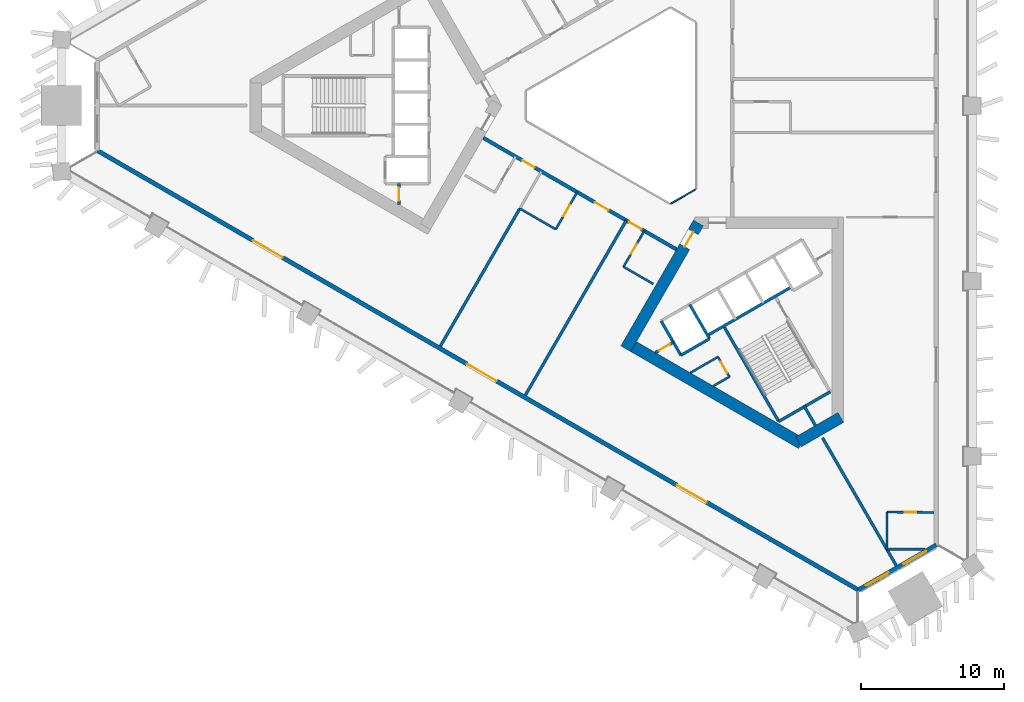
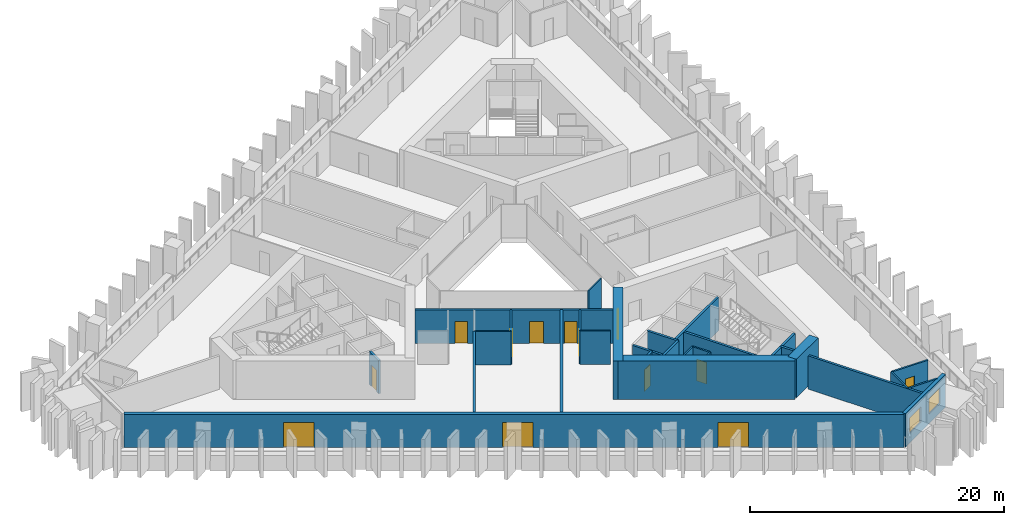
# One storey, part 2 of 10: 29 walls, 13 doors, 2 windows, 15 openings.
"""IFC4 building model written with IfcOpenShell, lengths in metres."""

from ifc_helpers import new_model, si_unit, direction, frame, frame_2d, origin, place, context, subcontext, project, spatial, rectangle, extrude, material, layer, layer_set, type_object, element, fill, save


model = new_model("IFC4")

# Units and contexts
model_context = context("Model", 3, precision=1e-05, world=origin(), true_north=direction((0.0, 1.0)))
body_context = subcontext(model_context, "Body", "Model", "MODEL_VIEW")
ifc_project = project(units=[si_unit("LENGTHUNIT", "METRE"), si_unit("AREAUNIT", "SQUARE_METRE"), si_unit("VOLUMEUNIT", "CUBIC_METRE"), si_unit("PLANEANGLEUNIT", "RADIAN"), si_unit("MASSUNIT", "GRAM", prefix="KILO")], contexts=[model_context])

# Site, building, storey
site_placement = place(None, origin())
site = spatial("IfcSite", under=ifc_project, at=site_placement, CompositionType="ELEMENT")
building_placement = place(site_placement, origin())
building = spatial("IfcBuilding", under=site, at=building_placement, Name="Jabali Bay Hotel Tower and Convention Centre", CompositionType="ELEMENT")
storey_placement = place(building_placement, frame((0.0, 0.0, 37.39990234375)))
storey = spatial("IfcBuildingStorey", under=building, at=storey_placement, Name="L07", CompositionType="ELEMENT", Elevation=37.39990234375)

# Wall
ifc_material_1 = material(Name="Fire-resistant glazing", Category="glass")
ifc_layer_1 = layer(ifc_material_1, 0.10009765625)
ifc_layer_set_1 = layer_set([ifc_layer_1], Name="Fire-resistant glazing")
wall_type_1 = type_object("IfcWallType", Name="Atrium glazed screen 100", PredefinedType="PARTITIONING", material=ifc_layer_set_1)
wall_1_placement = place(storey_placement, frame((77.7978515625, 73.15380859375, 0.0), z_axis=(0.0, 0.0, 1.0), x_axis=(0.866041268327, 0.499972520799, 0.0)))
element("IfcWall", 1, at=wall_1_placement, inside=storey, type_object=wall_type_1, Name="Atrium screen 6 L07", PredefinedType="PARTITIONING", context=body_context, shape_type="SweptSolid", body=[
    extrude(rectangle(XDim=2.0, YDim=0.10009765625, at=frame_2d((1.0, 0.0))), origin(), (0.0, 0.0, 1.0), 3.2001953125),
])

# Wall, opening, door
ifc_material_2 = material(Name="Concrete C40", Category="concrete")
ifc_layer_2 = layer(ifc_material_2, 0.199951171875)
ifc_layer_set_2 = layer_set([ifc_layer_2], Name="Concrete C40")
wall_type_2 = type_object("IfcWallType", Name="Core partition wall 200", PredefinedType="PARTITIONING", material=ifc_layer_set_2)
wall_2_placement = place(storey_placement, frame((58.800048828125, 74.550048828125, 0.0), z_axis=(0.0, 0.0, 1.0), x_axis=(0.0, -1.0, 0.0)))
wall_2 = element("IfcWall", 2, at=wall_2_placement, inside=storey, type_object=wall_type_2, Name="Core wall 0.12 L07", PredefinedType="PARTITIONING", context=body_context, shape_type="SweptSolid", body=[
    extrude(rectangle(XDim=1.455078125, YDim=0.199951171875, at=frame_2d((0.7275390625, 0.0))), origin(), (0.0, 0.0, 1.0), 3.2001953125),
])
opening_1_placement = place(wall_2_placement, frame((0.277587890625, 0.0, 0.0)))
opening_1 = element("IfcOpeningElement", 3, at=opening_1_placement, cuts=wall_2, Name="Opening D236", PredefinedType="OPENING", context=body_context, shape_type="SweptSolid", body=[
    extrude(rectangle(XDim=0.89990234375, YDim=2.10009765625, at=frame_2d((0.449951171875, 1.050048828125))), frame((0.0, 0.1103515625, 0.0), z_axis=(0.0, -1.0, 0.0), x_axis=(1.0, 0.0, 0.0)), (0.0, 0.0, 1.0), 0.220947265625),
])
ifc_material_3 = material(Name="Fire-rated steel door", Category="steel")
door_type_1 = type_object("IfcDoorType", Name="Vestibule fire door 900 x 2100", OperationType="NOTDEFINED", PredefinedType="NOTDEFINED", material=ifc_material_3)
door_1_placement = place(opening_1_placement, origin())
door_1 = element("IfcDoor", 4, at=door_1_placement, inside=storey, type_object=door_type_1, Name="Vestibule fire door D236", OperationType="SINGLE_SWING_LEFT", OverallHeight=2.10009765625, OverallWidth=0.89990234375, PredefinedType="NOTDEFINED", context=body_context, shape_type="SweptSolid", body=[
    extrude(rectangle(XDim=0.89990234375, YDim=2.10009765625, at=frame_2d((0.449951171875, 1.050048828125))), frame((0.0, 0.02490234375, 0.0), z_axis=(0.0, -1.0, 0.0), x_axis=(1.0, 0.0, 0.0)), (0.0, 0.0, 1.0), 0.050048828125),
])
fill(opening_1, door_1)

# Wall
wall_3_placement = place(storey_placement, frame((87.090087890625, 59.0595703125, 0.0), z_axis=(0.0, 0.0, 1.0), x_axis=(0.499956811548, -0.866050337213, 0.0)))
element("IfcWall", 5, at=wall_3_placement, inside=storey, type_object=wall_type_2, Name="Core wall 2.5 L07", PredefinedType="PARTITIONING", context=body_context, shape_type="SweptSolid", body=[
    extrude(rectangle(XDim=1.623291015625, YDim=0.199951171875, at=frame_2d((0.8115234375, 0.0))), origin(), (0.0, 0.0, 1.0), 3.2001953125),
])

# Wall, opening, door
wall_4_placement = place(storey_placement, frame((76.719970703125, 62.748779296875, 0.0), z_axis=(0.0, 0.0, 1.0), x_axis=(0.866054810376, 0.49994906283, 0.0)))
wall_4 = element("IfcWall", 6, at=wall_4_placement, inside=storey, type_object=wall_type_2, Name="Core wall 2.11 L07", PredefinedType="PARTITIONING", context=body_context, shape_type="SweptSolid", body=[
    extrude(rectangle(XDim=1.461181640625, YDim=0.199951171875, at=frame_2d((0.73046875, 0.0))), origin(), (0.0, 0.0, 1.0), 3.2001953125),
])
opening_2_placement = place(wall_4_placement, frame((0.280517578125, 0.0, 0.0)))
opening_2 = element("IfcOpeningElement", 7, at=opening_2_placement, cuts=wall_4, Name="Opening D249", PredefinedType="OPENING", context=body_context, shape_type="SweptSolid", body=[
    extrude(rectangle(XDim=0.89990234375, YDim=2.10009765625, at=frame_2d((0.449951171875, 1.050048828125))), frame((0.0, 0.1103515625, 0.0), z_axis=(0.0, -1.0, 0.0), x_axis=(1.0, 0.0, 0.0)), (0.0, 0.0, 1.0), 0.220947265625),
])
door_2_placement = place(opening_2_placement, origin())
door_2 = element("IfcDoor", 8, at=door_2_placement, inside=storey, type_object=door_type_1, Name="Vestibule fire door D249", OperationType="SINGLE_SWING_LEFT", OverallHeight=2.10009765625, OverallWidth=0.89990234375, PredefinedType="NOTDEFINED", context=body_context, shape_type="SweptSolid", body=[
    extrude(rectangle(XDim=0.89990234375, YDim=2.10009765625, at=frame_2d((0.449951171875, 1.050048828125))), frame((0.0, 0.02490234375, 0.0), z_axis=(0.0, -1.0, 0.0), x_axis=(1.0, 0.0, 0.0)), (0.0, 0.0, 1.0), 0.050048828125),
])
fill(opening_2, door_2)

ifc_material_4 = material(Name="Fire-rated board partition")
ifc_layer_3 = layer(ifc_material_4, 0.14990234375)
ifc_layer_set_3 = layer_set([ifc_layer_3], Name="Fire-rated board partition")
wall_type_3 = type_object("IfcWallType", Name="Core room partition 150", PredefinedType="PARTITIONING", material=ifc_layer_set_3)
wall_5_placement = place(storey_placement, frame((81.093994140625, 62.445068359375, 0.0), z_axis=(0.0, 0.0, 1.0), x_axis=(0.499880961361, -0.866094119867, 0.0)))
wall_5 = element("IfcWall", 9, at=wall_5_placement, inside=storey, type_object=wall_type_3, Name="Core wall 2.1 L07", PredefinedType="PARTITIONING", context=body_context, shape_type="SweptSolid", body=[
    extrude(rectangle(XDim=1.60009765625, YDim=0.14990234375, at=frame_2d((0.800048828125, 0.0))), origin(), (0.0, 0.0, 1.0), 3.2001953125),
])
opening_3_placement = place(wall_5_placement, frame((0.387451171875, 0.0, 0.0)))
opening_3 = element("IfcOpeningElement", 10, at=opening_3_placement, cuts=wall_5, Name="Opening D251", PredefinedType="OPENING", context=body_context, shape_type="SweptSolid", body=[
    extrude(rectangle(XDim=0.89990234375, YDim=2.10009765625, at=frame_2d((0.449951171875, 1.050048828125))), frame((0.0, 0.08544921875, 0.0), z_axis=(0.0, -1.0, 0.0), x_axis=(1.0, 0.0, 0.0)), (0.0, 0.0, 1.0), 0.1708984375),
])
door_type_2 = type_object("IfcDoorType", Name="Core room door 900 x 2100", OperationType="NOTDEFINED", PredefinedType="NOTDEFINED", material=ifc_material_3)
door_3_placement = place(opening_3_placement, origin())
door_3 = element("IfcDoor", 11, at=door_3_placement, inside=storey, type_object=door_type_2, Name="Core room door D251", OperationType="SINGLE_SWING_LEFT", OverallHeight=2.10009765625, OverallWidth=0.89990234375, PredefinedType="NOTDEFINED", context=body_context, shape_type="SweptSolid", body=[
    extrude(rectangle(XDim=0.89990234375, YDim=2.10009765625, at=frame_2d((0.449951171875, 1.050048828125))), frame((0.0, 0.02490234375, 0.0), z_axis=(0.0, -1.0, 0.0), x_axis=(1.0, 0.0, 0.0)), (0.0, 0.0, 1.0), 0.050048828125),
])
fill(opening_3, door_3)

# Walls
wall_6_placement = place(storey_placement, frame((79.169921875, 61.334228515625, 0.0), z_axis=(0.0, 0.0, 1.0), x_axis=(0.866030041738, 0.499991966744, 0.0)))
element("IfcWall", 12, at=wall_6_placement, inside=storey, type_object=wall_type_3, Name="Core wall 2.16 L07", PredefinedType="PARTITIONING", context=body_context, shape_type="SweptSolid", body=[
    extrude(rectangle(XDim=2.2216796875, YDim=0.14990234375, at=frame_2d((1.11083984375, 0.0))), origin(), (0.0, 0.0, 1.0), 3.2001953125),
])
wall_7_placement = place(storey_placement, frame((80.77001953125, 60.410400390625, 0.0), z_axis=(0.0, 0.0, 1.0), x_axis=(0.865988195383, 0.500064441305, 0.0)))
element("IfcWall", 13, at=wall_7_placement, inside=storey, type_object=wall_type_3, Name="Core wall 2.17 L07", PredefinedType="PARTITIONING", context=body_context, shape_type="SweptSolid", body=[
    extrude(rectangle(XDim=1.297607421875, YDim=0.14990234375, at=frame_2d((0.64892578125, 0.0))), origin(), (0.0, 0.0, 1.0), 3.2001953125),
])
ifc_layer_4 = layer(ifc_material_2, 0.199951171875)
ifc_layer_set_4 = layer_set([ifc_layer_4], Name="Concrete C40")
wall_type_4 = type_object("IfcWallType", Name="Core stair wall 200", PredefinedType="SOLIDWALL", material=ifc_layer_set_4)
for number, where, z_axis, x_axis, name in (
    (14, (77.13525390625, 64.95166015625, 0.0), (0.0, 0.0, 1.0), (0.499996545922, -0.866027397988, 0.0), "Core wall 2.0 L07"),
    (15, (79.127197265625, 66.1015625, 0.0), (0.0, 0.0, 1.0), (0.499996545922, -0.866027397988, 0.0), "Core wall 2.2 L07"),
):
    element("IfcWall", number, at=place(storey_placement, frame(where, z_axis=z_axis, x_axis=x_axis)), inside=storey, type_object=wall_type_4, Name=name, PredefinedType="SOLIDWALL", context=body_context, shape_type="SweptSolid", body=[
        extrude(rectangle(XDim=2.75, YDim=0.199951171875, at=frame_2d((1.375, 0.0))), origin(), (0.0, 0.0, 1.0), 3.2001953125),
    ])
wall_8_placement = place(storey_placement, frame((81.492919921875, 64.603759765625, 0.0), z_axis=(0.0, 0.0, 1.0), x_axis=(0.500006057782, -0.866021906294, 0.0)))
element("IfcWall", 16, at=wall_8_placement, inside=storey, type_object=wall_type_4, Name="Core wall 2.3 L07", PredefinedType="SOLIDWALL", context=body_context, shape_type="SweptSolid", body=[
    extrude(rectangle(XDim=7.7001953125, YDim=0.199951171875, at=frame_2d((3.85009765625, 0.0))), origin(), (0.0, 0.0, 1.0), 3.2001953125),
])
wall_9_placement = place(storey_placement, frame((80.3671875, 63.953857421875, 0.0), z_axis=(0.0, 0.0, 1.0), x_axis=(0.866026575979, 0.499997969693, 0.0)))
element("IfcWall", 17, at=wall_9_placement, inside=storey, type_object=wall_type_4, Name="Core wall 2.13 L07", PredefinedType="SOLIDWALL", context=body_context, shape_type="SweptSolid", body=[
    extrude(rectangle(XDim=6.75, YDim=0.199951171875, at=frame_2d((3.375, 0.0))), origin(), (0.0, 0.0, 1.0), 3.2001953125),
])
wall_10_placement = place(storey_placement, frame((78.51025390625, 62.570068359375, 0.0), z_axis=(0.0, 0.0, 1.0), x_axis=(0.866053019151, 0.499952165731, 0.0)))
element("IfcWall", 18, at=wall_10_placement, inside=storey, type_object=wall_type_4, Name="Core wall 2.14 L07", PredefinedType="SOLIDWALL", context=body_context, shape_type="SweptSolid", body=[
    extrude(rectangle(XDim=2.300048828125, YDim=0.199951171875, at=frame_2d((1.14990234375, 0.0))), origin(), (0.0, 0.0, 1.0), 3.2001953125),
])
wall_11_placement = place(storey_placement, frame((85.343017578125, 57.935302734375, 0.0), z_axis=(0.0, 0.0, 1.0), x_axis=(0.866004344652, 0.500036473714, 0.0)))
element("IfcWall", 19, at=wall_11_placement, inside=storey, type_object=wall_type_4, Name="Core wall 2.18 L07", PredefinedType="SOLIDWALL", context=body_context, shape_type="SweptSolid", body=[
    extrude(rectangle(XDim=4.150146484375, YDim=0.199951171875, at=frame_2d((2.0751953125, 0.0))), origin(), (0.0, 0.0, 1.0), 3.2001953125),
])

# Wall, opening, door
ifc_material_5 = material(Name="Concrete C60", Category="concrete")
ifc_layer_5 = layer(ifc_material_5, 0.800048828125)
ifc_layer_set_5 = layer_set([ifc_layer_5], Name="Concrete C60")
wall_type_5 = type_object("IfcWallType", Name="Core wall 800", PredefinedType="SHEAR", material=ifc_layer_set_5)
wall_12_placement = place(storey_placement, frame((79.73095703125, 71.8056640625, 0.0), z_axis=(0.0, 0.0, 1.0), x_axis=(-0.49999662545, -0.866027352073, 0.0)))
wall_12 = element("IfcWall", 20, at=wall_12_placement, inside=storey, type_object=wall_type_5, Name="Core wall 3.1 L07", PredefinedType="SHEAR", context=body_context, shape_type="SweptSolid", body=[
    extrude(rectangle(XDim=10.14892578125, YDim=0.800048828125, at=frame_2d((5.074462890625, 0.0))), origin(), (0.0, 0.0, 1.0), 3.7001953125),
])
opening_4_placement = place(wall_12_placement, frame((0.718994140625, 0.0, 0.0)))
opening_4 = element("IfcOpeningElement", 21, at=opening_4_placement, cuts=wall_12, Name="Opening D246", PredefinedType="OPENING", context=body_context, shape_type="SweptSolid", body=[
    extrude(rectangle(XDim=1.199951171875, YDim=2.10009765625, at=frame_2d((0.60009765625, 1.050048828125))), frame((0.0, 0.41064453125, 0.0), z_axis=(0.0, -1.0, 0.0), x_axis=(1.0, 0.0, 0.0)), (0.0, 0.0, 1.0), 0.821044921875),
])
door_type_3 = type_object("IfcDoorType", Name="Corridor end fire door 1200 x 2100", OperationType="NOTDEFINED", PredefinedType="NOTDEFINED", material=ifc_material_3)
door_4_placement = place(opening_4_placement, origin())
door_4 = element("IfcDoor", 22, at=door_4_placement, inside=storey, type_object=door_type_3, Name="Corridor end fire door D246", OperationType="SINGLE_SWING_RIGHT", OverallHeight=2.10009765625, OverallWidth=1.199951171875, PredefinedType="NOTDEFINED", context=body_context, shape_type="SweptSolid", body=[
    extrude(rectangle(XDim=1.199951171875, YDim=2.10009765625, at=frame_2d((0.60009765625, 1.050048828125))), frame((0.0, 0.02490234375, 0.0), z_axis=(0.0, -1.0, 0.0), x_axis=(1.0, 0.0, 0.0)), (0.0, 0.0, 1.0), 0.050048828125),
])
fill(opening_4, door_4)

# Walls
wall_13_placement = place(storey_placement, frame((74.8564453125, 63.36279296875, 0.0), z_axis=(0.0, 0.0, 1.0), x_axis=(0.866029478545, -0.499992942241, 0.0)))
element("IfcWall", 23, at=wall_13_placement, inside=storey, type_object=wall_type_5, Name="Core wall 3.2 L07", PredefinedType="SHEAR", context=body_context, shape_type="SweptSolid", body=[
    extrude(rectangle(XDim=13.933349609375, YDim=0.800048828125, at=frame_2d((6.966796875, 0.0))), origin(), (0.0, 0.0, 1.0), 3.7001953125),
])
wall_14_placement = place(storey_placement, frame((86.72314453125, 56.51171875, 0.0), z_axis=(0.0, 0.0, 1.0), x_axis=(0.866034355626, 0.499984494636, 0.0)))
element("IfcWall", 24, at=wall_14_placement, inside=storey, type_object=wall_type_5, Name="Core wall 3.3 L07", PredefinedType="SHEAR", context=body_context, shape_type="SweptSolid", body=[
    extrude(rectangle(XDim=3.4140625, YDim=0.800048828125, at=frame_2d((1.70703125, 0.0))), origin(), (0.0, 0.0, 1.0), 3.7001953125),
])

# Wall, openings, doors
ifc_layer_6 = layer(ifc_material_5, 0.25)
ifc_layer_set_6 = layer_set([ifc_layer_6], Name="Concrete C60")
wall_type_6 = type_object("IfcWallType", Name="Corridor wall 250", PredefinedType="SHEAR", material=ifc_layer_set_6)
wall_15_placement = place(storey_placement, frame((64.699951171875, 77.748291015625, 0.0), z_axis=(0.0, 0.0, 1.0), x_axis=(0.866026492143, -0.499998114903, 0.0)))
wall_15 = element("IfcWall", 25, at=wall_15_placement, inside=storey, type_object=wall_type_6, Name="Corridor wall 3 L07", PredefinedType="SHEAR", context=body_context, shape_type="SweptSolid", body=[
    extrude(rectangle(XDim=15.58837890625, YDim=0.25, at=frame_2d((7.794189453125, 0.0))), origin(), (0.0, 0.0, 1.0), 3.2001953125),
])
opening_5_placement = place(wall_15_placement, frame((3.13818359375, 0.0, 0.0)))
opening_5 = element("IfcOpeningElement", 26, at=opening_5_placement, cuts=wall_15, Name="Opening 0718", PredefinedType="OPENING", context=body_context, shape_type="SweptSolid", body=[
    extrude(rectangle(XDim=1.0, YDim=2.10009765625, at=frame_2d((0.5, 1.050048828125))), frame((0.0, 0.135498046875, 0.0), z_axis=(0.0, -1.0, 0.0), x_axis=(1.0, 0.0, 0.0)), (0.0, 0.0, 1.0), 0.27099609375),
])
opening_6_placement = place(wall_15_placement, frame((9.006103515625, 0.0, 0.0)))
opening_6 = element("IfcOpeningElement", 27, at=opening_6_placement, cuts=wall_15, Name="Opening 0720", PredefinedType="OPENING", context=body_context, shape_type="SweptSolid", body=[
    extrude(rectangle(XDim=1.10009765625, YDim=2.10009765625, at=frame_2d((0.550048828125, 1.050048828125))), frame((0.0, 0.135498046875, 0.0), z_axis=(0.0, -1.0, 0.0), x_axis=(1.0, 0.0, 0.0)), (0.0, 0.0, 1.0), 0.27099609375),
])
opening_7_placement = place(wall_15_placement, frame((11.761962890625, 0.0, 0.0)))
opening_7 = element("IfcOpeningElement", 28, at=opening_7_placement, cuts=wall_15, Name="Opening 0722", PredefinedType="OPENING", context=body_context, shape_type="SweptSolid", body=[
    extrude(rectangle(XDim=1.0, YDim=2.10009765625, at=frame_2d((0.5, 1.050048828125))), frame((0.0, 0.135498046875, 0.0), z_axis=(0.0, -1.0, 0.0), x_axis=(1.0, 0.0, 0.0)), (0.0, 0.0, 1.0), 0.27099609375),
])
ifc_material_6 = material(Name="Timber", Category="wood")
door_type_4 = type_object("IfcDoorType", Name="Accessible guest room door 1100 x 2100", OperationType="NOTDEFINED", PredefinedType="NOTDEFINED", material=ifc_material_6)
door_5_placement = place(opening_6_placement, origin())
door_5 = element("IfcDoor", 29, at=door_5_placement, inside=storey, type_object=door_type_4, Name="Door 0720", OperationType="SINGLE_SWING_RIGHT", OverallHeight=2.10009765625, OverallWidth=1.10009765625, PredefinedType="NOTDEFINED", context=body_context, shape_type="SweptSolid", body=[
    extrude(rectangle(XDim=1.10009765625, YDim=2.10009765625, at=frame_2d((0.550048828125, 1.050048828125))), frame((0.0, 0.02490234375, 0.0), z_axis=(0.0, -1.0, 0.0), x_axis=(1.0, 0.0, 0.0)), (0.0, 0.0, 1.0), 0.050048828125),
])
fill(opening_6, door_5)
door_type_5 = type_object("IfcDoorType", Name="Guest room door 1000 x 2100", OperationType="NOTDEFINED", PredefinedType="NOTDEFINED", material=ifc_material_6)
door_6_placement = place(opening_5_placement, origin())
door_6 = element("IfcDoor", 30, at=door_6_placement, inside=storey, type_object=door_type_5, Name="Door 0718", OperationType="SINGLE_SWING_LEFT", OverallHeight=2.10009765625, OverallWidth=1.0, PredefinedType="NOTDEFINED", context=body_context, shape_type="SweptSolid", body=[
    extrude(rectangle(XDim=1.0, YDim=2.10009765625, at=frame_2d((0.5, 1.050048828125))), frame((0.0, 0.02490234375, 0.0), z_axis=(0.0, -1.0, 0.0), x_axis=(1.0, 0.0, 0.0)), (0.0, 0.0, 1.0), 0.050048828125),
])
fill(opening_5, door_6)
door_7_placement = place(opening_7_placement, origin())
door_7 = element("IfcDoor", 31, at=door_7_placement, inside=storey, type_object=door_type_5, Name="Door 0722", OperationType="SINGLE_SWING_RIGHT", OverallHeight=2.10009765625, OverallWidth=1.0, PredefinedType="NOTDEFINED", context=body_context, shape_type="SweptSolid", body=[
    extrude(rectangle(XDim=1.0, YDim=2.10009765625, at=frame_2d((0.5, 1.050048828125))), frame((0.0, 0.02490234375, 0.0), z_axis=(0.0, -1.0, 0.0), x_axis=(1.0, 0.0, 0.0)), (0.0, 0.0, 1.0), 0.050048828125),
])
fill(opening_7, door_7)

# Wall, openings, windows
ifc_layer_7 = layer(ifc_material_2, 0.300048828125)
ifc_layer_set_7 = layer_set([ifc_layer_7], Name="Concrete C40")
wall_type_7 = type_object("IfcWallType", Name="External wall 300", PredefinedType="SOLIDWALL", material=ifc_layer_set_7)
wall_16_placement = place(storey_placement, frame((96.3505859375, 49.302490234375, 0.0), z_axis=(0.0, 0.0, 1.0), x_axis=(-0.866022511254, -0.500005009975, 0.0)))
wall_16 = element("IfcWall", 32, at=wall_16_placement, inside=storey, type_object=wall_type_7, Name="External wall south-east chamfer L07", PredefinedType="SOLIDWALL", context=body_context, shape_type="SweptSolid", body=[
    extrude(rectangle(XDim=6.28271484375, YDim=0.300048828125, at=frame_2d((3.141357421875, 0.0))), origin(), (0.0, 0.0, 1.0), 3.2001953125),
])
opening_8_placement = place(wall_16_placement, frame((0.840576171875, 0.0, 0.89990234375)))
opening_8 = element("IfcOpeningElement", 33, at=opening_8_placement, cuts=wall_16, Name="Opening W1", PredefinedType="OPENING", context=body_context, shape_type="SweptSolid", body=[
    extrude(rectangle(XDim=1.800048828125, YDim=1.5, at=frame_2d((0.89990234375, 0.75))), frame((0.0, 0.16064453125, 0.0), z_axis=(0.0, -1.0, 0.0), x_axis=(1.0, 0.0, 0.0)), (0.0, 0.0, 1.0), 0.321044921875),
])
opening_9_placement = place(wall_16_placement, frame((3.85498046875, 0.0, 0.89990234375)))
opening_9 = element("IfcOpeningElement", 34, at=opening_9_placement, cuts=wall_16, Name="Opening W1", PredefinedType="OPENING", context=body_context, shape_type="SweptSolid", body=[
    extrude(rectangle(XDim=1.800048828125, YDim=1.5, at=frame_2d((0.89990234375, 0.75))), frame((0.0, 0.16064453125, 0.0), z_axis=(0.0, -1.0, 0.0), x_axis=(1.0, 0.0, 0.0)), (0.0, 0.0, 1.0), 0.321044921875),
])
ifc_material_7 = material(Name="Glass", Category="glass")
window_type = type_object("IfcWindowType", Name="Window 1800 x 1500", PartitioningType="SINGLE_PANEL", PredefinedType="WINDOW", material=ifc_material_7)
window_1_placement = place(opening_8_placement, origin())
window_1 = element("IfcWindow", 35, at=window_1_placement, inside=storey, type_object=window_type, Name="Window 701", OverallHeight=1.5, OverallWidth=1.800048828125, PartitioningType="SINGLE_PANEL", PredefinedType="WINDOW", context=body_context, shape_type="SweptSolid", body=[
    extrude(rectangle(XDim=1.800048828125, YDim=1.5, at=frame_2d((0.89990234375, 0.75))), frame((0.0, 0.030029296875, 0.0), z_axis=(0.0, -1.0, 0.0), x_axis=(1.0, 0.0, 0.0)), (0.0, 0.0, 1.0), 0.06005859375),
])
fill(opening_8, window_1)
window_2_placement = place(opening_9_placement, origin())
window_2 = element("IfcWindow", 36, at=window_2_placement, inside=storey, type_object=window_type, Name="Window 709", OverallHeight=1.5, OverallWidth=1.800048828125, PartitioningType="SINGLE_PANEL", PredefinedType="WINDOW", context=body_context, shape_type="SweptSolid", body=[
    extrude(rectangle(XDim=1.800048828125, YDim=1.5, at=frame_2d((0.89990234375, 0.75))), frame((0.0, 0.030029296875, 0.0), z_axis=(0.0, -1.0, 0.0), x_axis=(1.0, 0.0, 0.0)), (0.0, 0.0, 1.0), 0.06005859375),
])
fill(opening_9, window_2)

# Wall, openings, doors
wall_17_placement = place(storey_placement, frame((90.90966796875, 46.1611328125, 0.0), z_axis=(0.0, 0.0, 1.0), x_axis=(-0.866026524777, 0.499998058379, 0.0)))
wall_17 = element("IfcWall", 37, at=wall_17_placement, inside=storey, type_object=wall_type_7, Name="External wall south-west face L07", PredefinedType="SOLIDWALL", context=body_context, shape_type="SweptSolid", body=[
    extrude(rectangle(XDim=61.395263671875, YDim=0.300048828125, at=frame_2d((30.69775390625, 0.0))), origin(), (0.0, 0.0, 1.0), 3.2001953125),
])
opening_10_placement = place(wall_17_placement, frame((29.185791015625, 0.0, 0.0)))
opening_10 = element("IfcOpeningElement", 38, at=opening_10_placement, cuts=wall_17, Name="Opening SD1", PredefinedType="OPENING", context=body_context, shape_type="SweptSolid", body=[
    extrude(rectangle(XDim=2.39990234375, YDim=2.39990234375, at=frame_2d((1.199951171875, 1.199951171875))), frame((0.0, 0.16064453125, 0.0), z_axis=(0.0, -1.0, 0.0), x_axis=(1.0, 0.0, 0.0)), (0.0, 0.0, 1.0), 0.321044921875),
])
opening_11_placement = place(wall_17_placement, frame((46.448486328125, 0.0, 0.0)))
opening_11 = element("IfcOpeningElement", 39, at=opening_11_placement, cuts=wall_17, Name="Opening SD1", PredefinedType="OPENING", context=body_context, shape_type="SweptSolid", body=[
    extrude(rectangle(XDim=2.39990234375, YDim=2.39990234375, at=frame_2d((1.199951171875, 1.199951171875))), frame((0.0, 0.16064453125, 0.0), z_axis=(0.0, -1.0, 0.0), x_axis=(1.0, 0.0, 0.0)), (0.0, 0.0, 1.0), 0.321044921875),
])
opening_12_placement = place(wall_17_placement, frame((12.23486328125, 0.0, 0.0)))
opening_12 = element("IfcOpeningElement", 40, at=opening_12_placement, cuts=wall_17, Name="Opening SD1", PredefinedType="OPENING", context=body_context, shape_type="SweptSolid", body=[
    extrude(rectangle(XDim=2.39990234375, YDim=2.39990234375, at=frame_2d((1.199951171875, 1.199951171875))), frame((0.0, 0.16064453125, 0.0), z_axis=(0.0, -1.0, 0.0), x_axis=(1.0, 0.0, 0.0)), (0.0, 0.0, 1.0), 0.321044921875),
])
door_type_6 = type_object("IfcDoorType", Name="Loggia sliding door 2400 x 2400", OperationType="NOTDEFINED", PredefinedType="NOTDEFINED", material=ifc_material_7)
door_8_placement = place(opening_10_placement, origin())
door_8 = element("IfcDoor", 41, at=door_8_placement, inside=storey, type_object=door_type_6, Name="Loggia sliding door 708", OperationType="SLIDING_TO_LEFT", OverallHeight=2.39990234375, OverallWidth=2.39990234375, PredefinedType="NOTDEFINED", context=body_context, shape_type="SweptSolid", body=[
    extrude(rectangle(XDim=2.39990234375, YDim=2.39990234375, at=frame_2d((1.199951171875, 1.199951171875))), frame((0.0, 0.02490234375, 0.0), z_axis=(0.0, -1.0, 0.0), x_axis=(1.0, 0.0, 0.0)), (0.0, 0.0, 1.0), 0.050048828125),
])
fill(opening_10, door_8)
door_9_placement = place(opening_11_placement, origin())
door_9 = element("IfcDoor", 42, at=door_9_placement, inside=storey, type_object=door_type_6, Name="Loggia sliding door 707", OperationType="SLIDING_TO_RIGHT", OverallHeight=2.39990234375, OverallWidth=2.39990234375, PredefinedType="NOTDEFINED", context=body_context, shape_type="SweptSolid", body=[
    extrude(rectangle(XDim=2.39990234375, YDim=2.39990234375, at=frame_2d((1.199951171875, 1.199951171875))), frame((0.0, 0.02490234375, 0.0), z_axis=(0.0, -1.0, 0.0), x_axis=(1.0, 0.0, 0.0)), (0.0, 0.0, 1.0), 0.050048828125),
])
fill(opening_11, door_9)
door_10_placement = place(opening_12_placement, origin())
door_10 = element("IfcDoor", 43, at=door_10_placement, inside=storey, type_object=door_type_6, Name="Loggia sliding door 709", OperationType="SLIDING_TO_LEFT", OverallHeight=2.39990234375, OverallWidth=2.39990234375, PredefinedType="NOTDEFINED", context=body_context, shape_type="SweptSolid", body=[
    extrude(rectangle(XDim=2.39990234375, YDim=2.39990234375, at=frame_2d((1.199951171875, 1.199951171875))), frame((0.0, 0.02490234375, 0.0), z_axis=(0.0, -1.0, 0.0), x_axis=(1.0, 0.0, 0.0)), (0.0, 0.0, 1.0), 0.050048828125),
])
fill(opening_12, door_10)

# Walls
ifc_material_8 = material(Name="Plasterboard on steel stud", Category="steel")
ifc_layer_8 = layer(ifc_material_8, 0.14990234375)
ifc_layer_set_8 = layer_set([ifc_layer_8], Name="Plasterboard on steel stud")
wall_type_8 = type_object("IfcWallType", Name="Partition 150 wet", PredefinedType="PARTITIONING", material=ifc_layer_set_8)
wall_18_placement = place(storey_placement, frame((95.547119140625, 49.010498046875, 0.0), z_axis=(0.0, 0.0, 1.0), x_axis=(-0.999994783674, -0.003229957312, 0.0)))
element("IfcWall", 44, at=wall_18_placement, inside=storey, type_object=wall_type_8, Name="Partition P03 L07 004", PredefinedType="PARTITIONING", context=body_context, shape_type="SweptSolid", body=[
    extrude(rectangle(XDim=2.6455078125, YDim=0.14990234375, at=frame_2d((1.32275390625, 0.0))), origin(), (0.0, 0.0, 1.0), 3.2001953125),
])
wall_19_placement = place(storey_placement, frame((92.901611328125, 49.001953125, 0.0), z_axis=(0.0, 0.0, 1.0), x_axis=(0.0, 1.0, 0.0)))
element("IfcWall", 45, at=wall_19_placement, inside=storey, type_object=wall_type_8, Name="Partition P03 L07 005", PredefinedType="PARTITIONING", context=body_context, shape_type="SweptSolid", body=[
    extrude(rectangle(XDim=2.599853515625, YDim=0.14990234375, at=frame_2d((1.2998046875, 0.0))), origin(), (0.0, 0.0, 1.0), 3.2001953125),
])

# Wall, opening, door
wall_20_placement = place(storey_placement, frame((92.901611328125, 51.601806640625, 0.0), z_axis=(0.0, 0.0, 1.0), x_axis=(0.999983351016, -0.005770415135, 0.0)))
wall_20 = element("IfcWall", 46, at=wall_20_placement, inside=storey, type_object=wall_type_8, Name="Partition P03 L07 006", PredefinedType="PARTITIONING", context=body_context, shape_type="SweptSolid", body=[
    extrude(rectangle(XDim=3.300048828125, YDim=0.14990234375, at=frame_2d((1.64990234375, 0.0))), origin(), (0.0, 0.0, 1.0), 3.2001953125),
])
opening_13_placement = place(wall_20_placement, frame((1.25, 0.0, 0.0)))
opening_13 = element("IfcOpeningElement", 47, at=opening_13_placement, cuts=wall_20, Name="Opening 0703", PredefinedType="OPENING", context=body_context, shape_type="SweptSolid", body=[
    extrude(rectangle(XDim=0.800048828125, YDim=2.10009765625, at=frame_2d((0.39990234375, 1.050048828125))), frame((0.0, 0.08544921875, 0.0), z_axis=(0.0, -1.0, 0.0), x_axis=(1.0, 0.0, 0.0)), (0.0, 0.0, 1.0), 0.1708984375),
])
door_type_7 = type_object("IfcDoorType", Name="En-suite door 800 x 2100", OperationType="NOTDEFINED", PredefinedType="NOTDEFINED", material=ifc_material_6)
door_11_placement = place(opening_13_placement, origin())
door_11 = element("IfcDoor", 48, at=door_11_placement, inside=storey, type_object=door_type_7, Name="Door 0703", OperationType="SINGLE_SWING_RIGHT", OverallHeight=2.10009765625, OverallWidth=0.800048828125, PredefinedType="NOTDEFINED", context=body_context, shape_type="SweptSolid", body=[
    extrude(rectangle(XDim=0.800048828125, YDim=2.10009765625, at=frame_2d((0.39990234375, 1.050048828125))), frame((0.0, 0.02490234375, 0.0), z_axis=(0.0, -1.0, 0.0), x_axis=(1.0, 0.0, 0.0)), (0.0, 0.0, 1.0), 0.050048828125),
])
fill(opening_13, door_11)

wall_21_placement = place(storey_placement, frame((71.261474609375, 73.9599609375, 0.0), z_axis=(0.0, 0.0, 1.0), x_axis=(-0.50002537861, -0.866010750942, 0.0)))
wall_21 = element("IfcWall", 49, at=wall_21_placement, inside=storey, type_object=wall_type_8, Name="Partition P03 L07 033", PredefinedType="PARTITIONING", context=body_context, shape_type="SweptSolid", body=[
    extrude(rectangle(XDim=2.999755859375, YDim=0.14990234375, at=frame_2d((1.5, 0.0))), origin(), (0.0, 0.0, 1.0), 3.2001953125),
])
opening_14_placement = place(wall_21_placement, frame((1.050048828125, 0.0, 0.0)))
opening_14 = element("IfcOpeningElement", 50, at=opening_14_placement, cuts=wall_21, Name="Opening 0719", PredefinedType="OPENING", context=body_context, shape_type="SweptSolid", body=[
    extrude(rectangle(XDim=0.89990234375, YDim=2.10009765625, at=frame_2d((0.449951171875, 1.050048828125))), frame((0.0, 0.08544921875, 0.0), z_axis=(0.0, -1.0, 0.0), x_axis=(1.0, 0.0, 0.0)), (0.0, 0.0, 1.0), 0.1708984375),
])
door_type_8 = type_object("IfcDoorType", Name="Accessible en-suite door 900 x 2100", OperationType="NOTDEFINED", PredefinedType="NOTDEFINED", material=ifc_material_6)
door_12_placement = place(opening_14_placement, origin())
door_12 = element("IfcDoor", 51, at=door_12_placement, inside=storey, type_object=door_type_8, Name="Door 0719", OperationType="SINGLE_SWING_RIGHT", OverallHeight=2.10009765625, OverallWidth=0.89990234375, PredefinedType="NOTDEFINED", context=body_context, shape_type="SweptSolid", body=[
    extrude(rectangle(XDim=0.89990234375, YDim=2.10009765625, at=frame_2d((0.449951171875, 1.050048828125))), frame((0.0, 0.02490234375, 0.0), z_axis=(0.0, -1.0, 0.0), x_axis=(1.0, 0.0, 0.0)), (0.0, 0.0, 1.0), 0.050048828125),
])
fill(opening_14, door_12)

# Walls
wall_22_placement = place(storey_placement, frame((69.761474609375, 71.362060546875, 0.0), z_axis=(0.0, 0.0, 1.0), x_axis=(-0.866032775405, 0.499987231761, 0.0)))
element("IfcWall", 52, at=wall_22_placement, inside=storey, type_object=wall_type_8, Name="Partition P03 L07 034", PredefinedType="PARTITIONING", context=body_context, shape_type="SweptSolid", body=[
    extrude(rectangle(XDim=2.89990234375, YDim=0.14990234375, at=frame_2d((1.449951171875, 0.0))), origin(), (0.0, 0.0, 1.0), 3.2001953125),
])
wall_23_placement = place(storey_placement, frame((76.57763671875, 67.542236328125, 0.0), z_axis=(0.0, 0.0, 1.0), x_axis=(-0.866038271014, 0.499977712642, 0.0)))
element("IfcWall", 53, at=wall_23_placement, inside=storey, type_object=wall_type_8, Name="Partition P03 L07 036", PredefinedType="PARTITIONING", context=body_context, shape_type="SweptSolid", body=[
    extrude(rectangle(XDim=2.40087890625, YDim=0.14990234375, at=frame_2d((1.200439453125, 0.0))), origin(), (0.0, 0.0, 1.0), 3.2001953125),
])

# Wall, opening, door
wall_24_placement = place(storey_placement, frame((74.498291015625, 68.74267578125, 0.0), z_axis=(0.0, 0.0, 1.0), x_axis=(0.499987231761, 0.866032775405, 0.0)))
wall_24 = element("IfcWall", 54, at=wall_24_placement, inside=storey, type_object=wall_type_8, Name="Partition P03 L07 037", PredefinedType="PARTITIONING", context=body_context, shape_type="SweptSolid", body=[
    extrude(rectangle(XDim=2.89990234375, YDim=0.14990234375, at=frame_2d((1.449951171875, 0.0))), origin(), (0.0, 0.0, 1.0), 3.2001953125),
])
opening_15_placement = place(wall_24_placement, frame((1.050048828125, 0.0, 0.0)))
opening_15 = element("IfcOpeningElement", 55, at=opening_15_placement, cuts=wall_24, Name="Opening 0721", PredefinedType="OPENING", context=body_context, shape_type="SweptSolid", body=[
    extrude(rectangle(XDim=0.800048828125, YDim=2.10009765625, at=frame_2d((0.39990234375, 1.050048828125))), frame((0.0, 0.08544921875, 0.0), z_axis=(0.0, -1.0, 0.0), x_axis=(1.0, 0.0, 0.0)), (0.0, 0.0, 1.0), 0.1708984375),
])
door_13_placement = place(opening_15_placement, origin())
door_13 = element("IfcDoor", 56, at=door_13_placement, inside=storey, type_object=door_type_7, Name="Door 0721", OperationType="SINGLE_SWING_RIGHT", OverallHeight=2.10009765625, OverallWidth=0.800048828125, PredefinedType="NOTDEFINED", context=body_context, shape_type="SweptSolid", body=[
    extrude(rectangle(XDim=0.800048828125, YDim=2.10009765625, at=frame_2d((0.39990234375, 1.050048828125))), frame((0.0, 0.02490234375, 0.0), z_axis=(0.0, -1.0, 0.0), x_axis=(1.0, 0.0, 0.0)), (0.0, 0.0, 1.0), 0.050048828125),
])
fill(opening_15, door_13)

# Walls
ifc_layer_9 = layer(ifc_material_8, 0.199951171875)
ifc_layer_set_9 = layer_set([ifc_layer_9], Name="Plasterboard on steel stud")
wall_type_9 = type_object("IfcWallType", Name="Partition 200 party", PredefinedType="PARTITIONING", material=ifc_layer_set_9)
wall_25_placement = place(storey_placement, frame((88.40185546875, 56.789306640625, 0.0), z_axis=(0.0, 0.0, 1.0), x_axis=(0.499997833203, -0.866026654782, 0.0)))
element("IfcWall", 57, at=wall_25_placement, inside=storey, type_object=wall_type_9, Name="Partition P01 L07 007", PredefinedType="PARTITIONING", context=body_context, shape_type="SweptSolid", body=[
    extrude(rectangle(XDim=10.30908203125, YDim=0.199951171875, at=frame_2d((5.154541015625, 0.0))), origin(), (0.0, 0.0, 1.0), 3.2001953125),
])
wall_26_placement = place(storey_placement, frame((61.69921875, 63.19775390625, 0.0), z_axis=(0.0, 0.0, 1.0), x_axis=(0.499999115929, 0.866025914202, 0.0)))
element("IfcWall", 58, at=wall_26_placement, inside=storey, type_object=wall_type_9, Name="Partition P01 L07 031", PredefinedType="PARTITIONING", context=body_context, shape_type="SweptSolid", body=[
    extrude(rectangle(XDim=11.1015625, YDim=0.199951171875, at=frame_2d((5.55078125, 0.0))), origin(), (0.0, 0.0, 1.0), 3.2001953125),
])
wall_27_placement = place(storey_placement, frame((67.63916015625, 59.768310546875, 0.0), z_axis=(0.0, 0.0, 1.0), x_axis=(0.499997206141, 0.866027016814, 0.0)))
element("IfcWall", 59, at=wall_27_placement, inside=storey, type_object=wall_type_9, Name="Partition P01 L07 035", PredefinedType="PARTITIONING", context=body_context, shape_type="SweptSolid", body=[
    extrude(rectangle(XDim=14.1015625, YDim=0.199951171875, at=frame_2d((7.05078125, 0.0))), origin(), (0.0, 0.0, 1.0), 3.2001953125),
])

save(model, "model.ifc")
